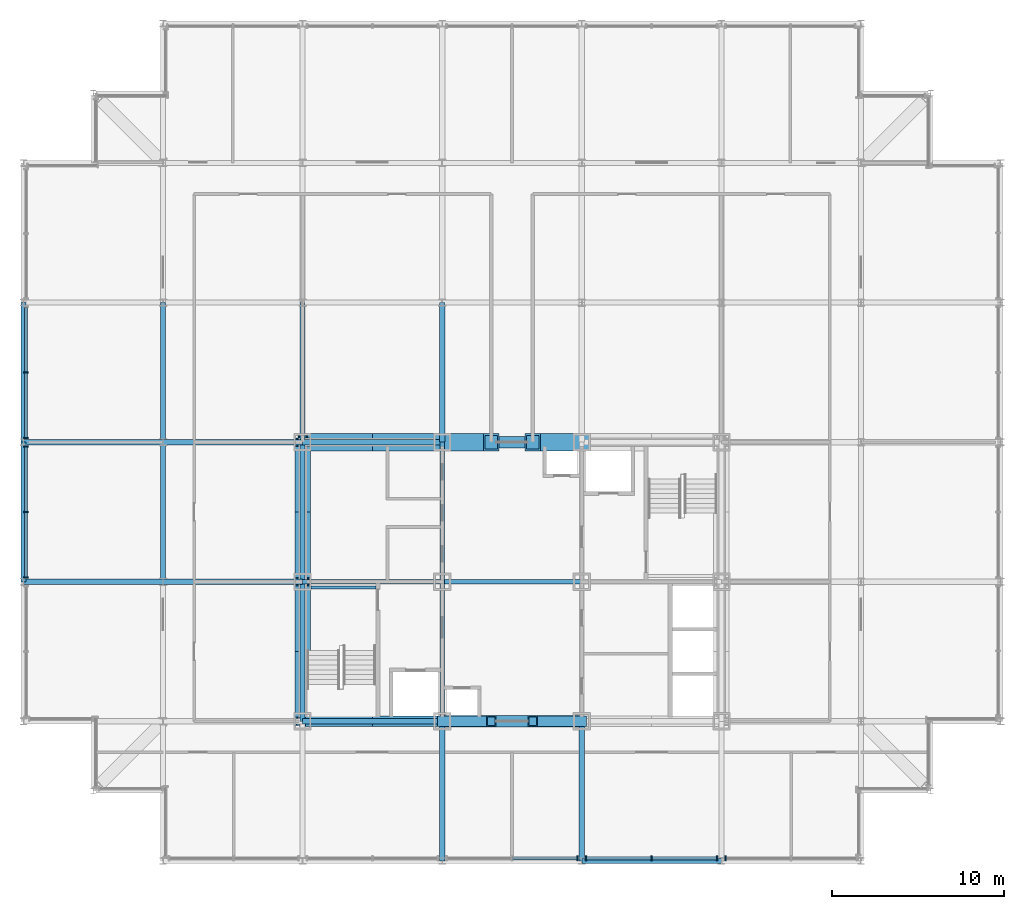
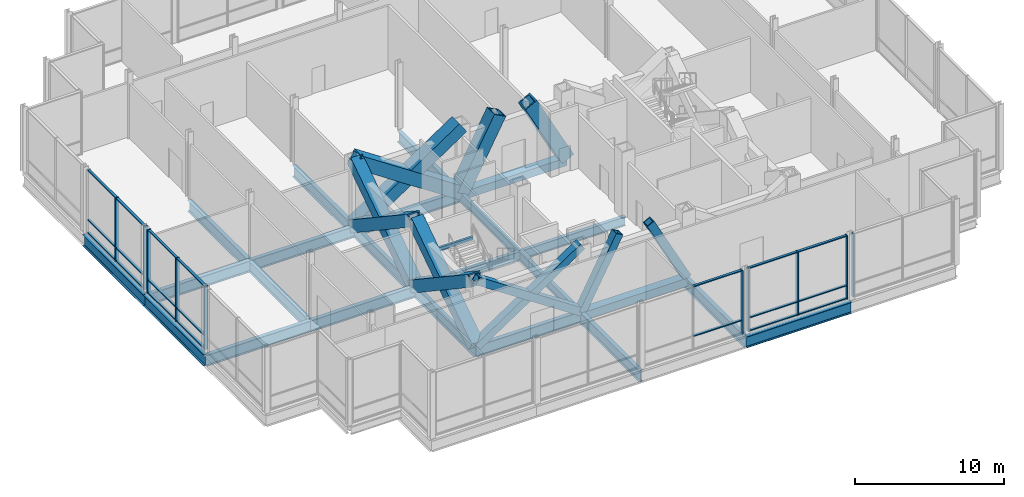
# One storey, part 6 of 21: 42 members, 24 beams, 5 elements without a shape of their own.
"""IFC4 building model written with IfcOpenShell, lengths in metres."""

from ifc_helpers import new_model, si_unit, direction, frame, origin, origin_2d, place, context, subcontext, project, spatial, rectangle, hollow_rectangle, i_section, extrude, material, material_profile, profile_set, type_object, element, aggregate, save


model = new_model("IFC4")

# Units and contexts
model_context = context("Model", 3, precision=1e-05, world=origin(), true_north=direction((0.0, 1.0)))
body_context = subcontext(model_context, "Body", "Model", "MODEL_VIEW")
ifc_project = project(units=[si_unit("LENGTHUNIT", "METRE"), si_unit("AREAUNIT", "SQUARE_METRE"), si_unit("VOLUMEUNIT", "CUBIC_METRE"), si_unit("PLANEANGLEUNIT", "RADIAN"), si_unit("MASSUNIT", "GRAM", prefix="KILO")], contexts=[model_context])

# Site, building, storey
site_placement = place(None, origin())
site = spatial("IfcSite", under=ifc_project, at=site_placement, CompositionType="ELEMENT")
building_placement = place(site_placement, origin())
building = spatial("IfcBuilding", under=site, at=building_placement, Name="Kopane Lantern Tower", CompositionType="ELEMENT")
storey_placement = place(building_placement, frame((0.0, 0.0, 298.5)))
storey = spatial("IfcBuildingStorey", under=building, at=storey_placement, Name="L76", CompositionType="ELEMENT", Elevation=298.5)

# Members
ifc_material_1 = material(Name="Steel S355JR", Category="steel")
ifc_material_profile_1 = material_profile(ifc_material_1, hollow_rectangle(XDim=1.0, YDim=1.0, WallThickness=0.10009765625, at=origin_2d()), Name="BOX 1000x1000x100")
ifc_profile_set_1 = profile_set([ifc_material_profile_1], Name="Steel S355JR")
member_type_1 = type_object("IfcMemberType", Name="BRACE BOX 1000x1000x100", PredefinedType="BRACE", material=ifc_profile_set_1)
for number, where, z_axis, x_axis, name in (
    (1, (16.199951171875, 40.5, -0.2099609375), (0.832058010752, 0.0, 0.55468862143), (0.0, 1.0, 0.0), "Core brace L76"),
    (2, (24.300048828125, 40.5, -0.2099609375), (-0.832058010752, 0.0, 0.55468862143), (0.0, -1.0, 0.0), "Core brace L76"),
):
    element("IfcMember", number, at=place(storey_placement, frame(where, z_axis=z_axis, x_axis=x_axis)), inside=storey, type_object=member_type_1, Name=name, PredefinedType="BRACE", context=body_context, shape_type="SweptSolid", body=[
        extrude(hollow_rectangle(XDim=1.0, YDim=1.0, WallThickness=0.10009765625, at=origin_2d()), origin(), (0.0, 0.0, 1.0), 9.735107421875),
    ])
for number, where, z_axis, x_axis, name in (
    (3, (24.300048828125, 40.5, -0.2099609375), (0.46674645747, 0.0, 0.88439117162), (0.0, 1.0, 0.0), "Core brace L76"),
    (4, (32.39990234375, 40.5, -0.2099609375), (-0.46674645747, 0.0, 0.88439117162), (0.0, -1.0, 0.0), "Core brace L76"),
):
    element("IfcMember", number, at=place(storey_placement, frame(where, z_axis=z_axis, x_axis=x_axis)), inside=storey, type_object=member_type_1, Name=name, PredefinedType="BRACE", context=body_context, shape_type="SweptSolid", body=[
        extrude(hollow_rectangle(XDim=1.0, YDim=1.0, WallThickness=0.10009765625, at=origin_2d()), origin(), (0.0, 0.0, 1.0), 6.105712890625),
    ])
ifc_material_2 = material(Name="Steel S355JR", Category="steel")
ifc_material_profile_2 = material_profile(ifc_material_2, hollow_rectangle(XDim=0.60009765625, YDim=0.60009765625, WallThickness=0.06005859375, at=origin_2d()), Name="BOX 600x600x60")
ifc_profile_set_2 = profile_set([ifc_material_profile_2], Name="Steel S355JR")
member_type_2 = type_object("IfcMemberType", Name="BRACE BOX 600x600x60", PredefinedType="BRACE", material=ifc_profile_set_2)
for number, where, z_axis, x_axis, name in (
    (5, (16.199951171875, 24.300048828125, -0.2099609375), (0.832058010752, 0.0, 0.55468862143), (0.0, 1.0, 0.0), "Core brace L76"),
    (6, (24.300048828125, 24.300048828125, -0.2099609375), (-0.832058010752, 0.0, 0.55468862143), (0.0, -1.0, 0.0), "Core brace L76"),
):
    element("IfcMember", number, at=place(storey_placement, frame(where, z_axis=z_axis, x_axis=x_axis)), inside=storey, type_object=member_type_2, Name=name, PredefinedType="BRACE", context=body_context, shape_type="SweptSolid", body=[
        extrude(hollow_rectangle(XDim=0.60009765625, YDim=0.60009765625, WallThickness=0.06005859375, at=origin_2d()), origin(), (0.0, 0.0, 1.0), 9.735107421875),
    ])
for number, where, z_axis, x_axis, name in (
    (7, (24.300048828125, 24.300048828125, -0.2099609375), (0.46674645747, 0.0, 0.88439117162), (0.0, 1.0, 0.0), "Core brace L76"),
    (8, (32.39990234375, 24.300048828125, -0.2099609375), (-0.46674645747, 0.0, 0.88439117162), (0.0, -1.0, 0.0), "Core brace L76"),
):
    element("IfcMember", number, at=place(storey_placement, frame(where, z_axis=z_axis, x_axis=x_axis)), inside=storey, type_object=member_type_2, Name=name, PredefinedType="BRACE", context=body_context, shape_type="SweptSolid", body=[
        extrude(hollow_rectangle(XDim=0.60009765625, YDim=0.60009765625, WallThickness=0.06005859375, at=origin_2d()), origin(), (0.0, 0.0, 1.0), 6.105712890625),
    ])
ifc_material_3 = material(Name="Steel S355JR", Category="steel")
ifc_material_profile_3 = material_profile(ifc_material_3, hollow_rectangle(XDim=0.89990234375, YDim=0.89990234375, WallThickness=0.090087890625, at=origin_2d()), Name="BOX 900x900x90")
ifc_profile_set_3 = profile_set([ifc_material_profile_3], Name="Steel S355JR")
member_type_3 = type_object("IfcMemberType", Name="BRACE BOX 900x900x90", PredefinedType="BRACE", material=ifc_profile_set_3)
for number, where, z_axis, x_axis, name in (
    (9, (16.199951171875, 24.300048828125, -0.2099609375), (0.0, 0.832050294338, 0.554700196225), (-1.0, 0.0, 0.0), "Core brace L76"),
    (10, (16.199951171875, 32.39990234375, -0.2099609375), (0.0, -0.832050294338, 0.554700196225), (1.0, 0.0, 0.0), "Core brace L76"),
):
    element("IfcMember", number, at=place(storey_placement, frame(where, z_axis=z_axis, x_axis=x_axis)), inside=storey, type_object=member_type_3, Name=name, PredefinedType="BRACE", context=body_context, shape_type="SweptSolid", body=[
        extrude(hollow_rectangle(XDim=0.89990234375, YDim=0.89990234375, WallThickness=0.090087890625, at=origin_2d()), origin(), (0.0, 0.0, 1.0), 9.73486328125),
    ])
for number, where, z_axis, x_axis, name in (
    (11, (16.199951171875, 32.39990234375, -0.2099609375), (0.0, 0.832058010752, 0.55468862143), (-1.0, 0.0, 0.0), "Core brace L76"),
    (12, (16.199951171875, 40.5, -0.2099609375), (0.0, -0.832058010752, 0.55468862143), (1.0, 0.0, 0.0), "Core brace L76"),
):
    element("IfcMember", number, at=place(storey_placement, frame(where, z_axis=z_axis, x_axis=x_axis)), inside=storey, type_object=member_type_3, Name=name, PredefinedType="BRACE", context=body_context, shape_type="SweptSolid", body=[
        extrude(hollow_rectangle(XDim=0.89990234375, YDim=0.89990234375, WallThickness=0.090087890625, at=origin_2d()), origin(), (0.0, 0.0, 1.0), 9.735107421875),
    ])

# Beams
ifc_material_4 = material(Name="Steel S355JR", Category="steel")
ifc_material_profile_4 = material_profile(ifc_material_4, i_section(OverallWidth=0.2666015625, OverallDepth=0.76220703125, WebThickness=0.014404296875, FlangeThickness=0.021484375, FilletRadius=0.0166015625, at=origin_2d()), Name="UB 762x267x173")
ifc_profile_set_4 = profile_set([ifc_material_profile_4], Name="Steel S355JR")
beam_type_1 = type_object("IfcBeamType", Name="CORE BEAM UB 762x267x173", PredefinedType="BEAM", material=ifc_profile_set_4)
beam_1_placement = place(storey_placement, frame((16.199951171875, 32.39990234375, -0.591064453125), z_axis=(1.0, 0.0, 0.0), x_axis=(0.0, 1.0, 0.0)))
element("IfcBeam", 13, at=beam_1_placement, inside=storey, type_object=beam_type_1, Name="Core Beam L76", PredefinedType="BEAM", context=body_context, shape_type="SweptSolid", body=[
    extrude(i_section(OverallWidth=0.2666015625, OverallDepth=0.76220703125, WebThickness=0.014404296875, FlangeThickness=0.021484375, FilletRadius=0.0166015625, at=origin_2d()), origin(), (0.0, 0.0, 1.0), 8.10009765625),
])
beam_2_placement = place(storey_placement, frame((24.300048828125, 24.300048828125, -0.591064453125), z_axis=(0.0, 1.0, 0.0), x_axis=(-1.0, 0.0, 0.0)))
element("IfcBeam", 14, at=beam_2_placement, inside=storey, type_object=beam_type_1, Name="Core Beam L76", PredefinedType="BEAM", context=body_context, shape_type="SweptSolid", body=[
    extrude(i_section(OverallWidth=0.2666015625, OverallDepth=0.76220703125, WebThickness=0.014404296875, FlangeThickness=0.021484375, FilletRadius=0.0166015625, at=origin_2d()), origin(), (0.0, 0.0, 1.0), 8.099853515625),
])
beam_3_placement = place(storey_placement, frame((24.300048828125, 32.39990234375, -0.591064453125), z_axis=(0.0, 1.0, 0.0), x_axis=(-1.0, 0.0, 0.0)))
element("IfcBeam", 15, at=beam_3_placement, inside=storey, type_object=beam_type_1, Name="Core Beam L76", PredefinedType="BEAM", context=body_context, shape_type="SweptSolid", body=[
    extrude(i_section(OverallWidth=0.2666015625, OverallDepth=0.76220703125, WebThickness=0.014404296875, FlangeThickness=0.021484375, FilletRadius=0.0166015625, at=origin_2d()), origin(), (0.0, 0.0, 1.0), 8.10009765625),
])
beam_4_placement = place(storey_placement, frame((24.300048828125, 32.39990234375, -0.591064453125), z_axis=(1.0, 0.0, 0.0), x_axis=(0.0, 1.0, 0.0)))
element("IfcBeam", 16, at=beam_4_placement, inside=storey, type_object=beam_type_1, Name="Core Beam L76", PredefinedType="BEAM", context=body_context, shape_type="SweptSolid", body=[
    extrude(i_section(OverallWidth=0.2666015625, OverallDepth=0.76220703125, WebThickness=0.014404296875, FlangeThickness=0.021484375, FilletRadius=0.0166015625, at=origin_2d()), origin(), (0.0, 0.0, 1.0), 8.099853515625),
])
ifc_material_5 = material(Name="Steel S355JR", Category="steel")
ifc_material_profile_5 = material_profile(ifc_material_5, i_section(OverallWidth=0.305419921875, OverallDepth=0.91845703125, WebThickness=0.017333984375, FlangeThickness=0.02783203125, FilletRadius=0.01904296875, at=origin_2d()), Name="UB 914x305x253")
ifc_profile_set_5 = profile_set([ifc_material_profile_5], Name="Steel S355JR")
beam_type_2 = type_object("IfcBeamType", Name="GIRDER UB 914x305x253", PredefinedType="BEAM", material=ifc_profile_set_5)
for number, where, z_axis, x_axis, name in (
    (17, (0.0, 32.39990234375, -0.669189453125), (0.0, 1.0, 0.0), (-1.0, 0.0, 0.0), "Girder L76"),
    (18, (0.0, 32.39990234375, -0.669189453125), (1.0, 0.0, 0.0), (0.0, 1.0, 0.0), "Girder L76"),
    (19, (0.0, 40.5, -0.669189453125), (0.0, 1.0, 0.0), (-1.0, 0.0, 0.0), "Girder L76"),
    (20, (0.0, 40.5, -0.669189453125), (1.0, 0.0, 0.0), (0.0, 1.0, 0.0), "Girder L76"),
    (21, (8.10009765625, 32.39990234375, -0.669189453125), (0.0, 1.0, 0.0), (-1.0, 0.0, 0.0), "Girder L76"),
):
    element("IfcBeam", number, at=place(storey_placement, frame(where, z_axis=z_axis, x_axis=x_axis)), inside=storey, type_object=beam_type_2, Name=name, PredefinedType="BEAM", context=body_context, shape_type="SweptSolid", body=[
        extrude(i_section(OverallWidth=0.305419921875, OverallDepth=0.91845703125, WebThickness=0.017333984375, FlangeThickness=0.02783203125, FilletRadius=0.01904296875, at=origin_2d()), origin(), (0.0, 0.0, 1.0), 8.10009765625),
    ])
beam_5_placement = place(storey_placement, frame((8.10009765625, 32.39990234375, -0.669189453125), z_axis=(1.0, 0.0, 0.0), x_axis=(0.0, 1.0, 0.0)))
element("IfcBeam", 22, at=beam_5_placement, inside=storey, type_object=beam_type_2, Name="Girder L76", PredefinedType="BEAM", context=body_context, shape_type="SweptSolid", body=[
    extrude(i_section(OverallWidth=0.305419921875, OverallDepth=0.91845703125, WebThickness=0.017333984375, FlangeThickness=0.02783203125, FilletRadius=0.01904296875, at=origin_2d()), origin(), (0.0, 0.0, 1.0), 8.099853515625),
])
beam_6_placement = place(storey_placement, frame((8.10009765625, 40.5, -0.669189453125), z_axis=(0.0, 1.0, 0.0), x_axis=(-1.0, 0.0, 0.0)))
element("IfcBeam", 23, at=beam_6_placement, inside=storey, type_object=beam_type_2, Name="Girder L76", PredefinedType="BEAM", context=body_context, shape_type="SweptSolid", body=[
    extrude(i_section(OverallWidth=0.305419921875, OverallDepth=0.91845703125, WebThickness=0.017333984375, FlangeThickness=0.02783203125, FilletRadius=0.01904296875, at=origin_2d()), origin(), (0.0, 0.0, 1.0), 8.10009765625),
])
for number, where, z_axis, x_axis, name in (
    (24, (8.10009765625, 40.5, -0.669189453125), (1.0, 0.0, 0.0), (0.0, 1.0, 0.0), "Girder L76"),
    (25, (16.199951171875, 24.300048828125, -0.669189453125), (0.0, 1.0, 0.0), (-1.0, 0.0, 0.0), "Girder L76"),
):
    element("IfcBeam", number, at=place(storey_placement, frame(where, z_axis=z_axis, x_axis=x_axis)), inside=storey, type_object=beam_type_2, Name=name, PredefinedType="BEAM", context=body_context, shape_type="SweptSolid", body=[
        extrude(i_section(OverallWidth=0.305419921875, OverallDepth=0.91845703125, WebThickness=0.017333984375, FlangeThickness=0.02783203125, FilletRadius=0.01904296875, at=origin_2d()), origin(), (0.0, 0.0, 1.0), 8.099853515625),
    ])
for number, where, z_axis, x_axis, name in (
    (26, (16.199951171875, 24.300048828125, -0.669189453125), (1.0, 0.0, 0.0), (0.0, 1.0, 0.0), "Girder L76"),
    (27, (16.199951171875, 32.39990234375, -0.669189453125), (0.0, 1.0, 0.0), (-1.0, 0.0, 0.0), "Girder L76"),
    (28, (16.199951171875, 40.5, -0.669189453125), (0.0, 1.0, 0.0), (-1.0, 0.0, 0.0), "Girder L76"),
    (29, (16.199951171875, 40.5, -0.669189453125), (1.0, 0.0, 0.0), (0.0, 1.0, 0.0), "Girder L76"),
    (30, (24.300048828125, 16.199951171875, -0.669189453125), (0.0, 1.0, 0.0), (-1.0, 0.0, 0.0), "Girder L76"),
    (31, (24.300048828125, 40.5, -0.669189453125), (0.0, 1.0, 0.0), (-1.0, 0.0, 0.0), "Girder L76"),
    (32, (32.39990234375, 16.199951171875, -0.669189453125), (0.0, 1.0, 0.0), (-1.0, 0.0, 0.0), "Girder L76"),
    (33, (32.39990234375, 16.199951171875, -0.669189453125), (1.0, 0.0, 0.0), (0.0, 1.0, 0.0), "Girder L76"),
):
    element("IfcBeam", number, at=place(storey_placement, frame(where, z_axis=z_axis, x_axis=x_axis)), inside=storey, type_object=beam_type_2, Name=name, PredefinedType="BEAM", context=body_context, shape_type="SweptSolid", body=[
        extrude(i_section(OverallWidth=0.305419921875, OverallDepth=0.91845703125, WebThickness=0.017333984375, FlangeThickness=0.02783203125, FilletRadius=0.01904296875, at=origin_2d()), origin(), (0.0, 0.0, 1.0), 8.10009765625),
    ])
ifc_material_6 = material(Name="Steel S355JR", Category="steel")
ifc_material_profile_6 = material_profile(ifc_material_6, hollow_rectangle(XDim=0.64990234375, YDim=0.64990234375, WallThickness=0.070068359375, at=origin_2d()), Name="BOX 650x650x70")
ifc_profile_set_6 = profile_set([ifc_material_profile_6], Name="Steel S355JR")
beam_type_3 = type_object("IfcBeamType", Name="LINK BEAM BOX 650x650x70", PredefinedType="BEAM", material=ifc_profile_set_6)
for number, where, z_axis, x_axis, name in (
    (34, (24.300048828125, 24.300048828125, -0.534912109375), (1.0, 0.0, 0.0), (0.0, 1.0, 0.0), "Link Beam L76"),
    (35, (24.300048828125, 40.5, -0.534912109375), (1.0, 0.0, 0.0), (0.0, 1.0, 0.0), "Link Beam L76"),
):
    element("IfcBeam", number, at=place(storey_placement, frame(where, z_axis=z_axis, x_axis=x_axis)), inside=storey, type_object=beam_type_3, Name=name, PredefinedType="BEAM", context=body_context, shape_type="SweptSolid", body=[
        extrude(hollow_rectangle(XDim=0.64990234375, YDim=0.64990234375, WallThickness=0.070068359375, at=origin_2d()), origin(), (0.0, 0.0, 1.0), 8.099853515625),
    ])

# Curtain wall, member
ifc_material_7 = material(Name="Aluminium and clear glass", Category="aluminium")
curtain_wall_type = type_object("IfcCurtainWallType", Name="CURTAIN WALL CW6 LANTERN CROWN", PredefinedType="USERDEFINED", material=ifc_material_7)
curtain_wall_1_placement = place(storey_placement, origin())
curtain_wall_1 = element("IfcCurtainWall", 36, at=curtain_wall_1_placement, inside=storey, type_object=curtain_wall_type, Name="Curtain wall CW6 S L76", ObjectType="CURTAIN WALL", PredefinedType="USERDEFINED")
ifc_material_8 = material(Name="Aluminium", Category="aluminium")
ifc_material_profile_7 = material_profile(ifc_material_8, rectangle(XDim=0.080078125, YDim=0.280029296875, at=origin_2d()), Name="AL 80x280")
ifc_profile_set_7 = profile_set([ifc_material_profile_7], Name="Aluminium")
member_type_4 = type_object("IfcMemberType", Name="MULLION CW6-M 80x280", PredefinedType="MULLION", material=ifc_profile_set_7)
member_1_placement = place(storey_placement, frame((32.155517578125, 16.35009765625, 0.0), z_axis=(0.0, 0.0, 1.0), x_axis=(1.0, 0.0, 0.0)))
member_1 = element("IfcMember", 37, at=member_1_placement, type_object=member_type_4, Name="CW6 mullion 3", PredefinedType="MULLION", context=body_context, shape_type="SweptSolid", body=[
    extrude(rectangle(XDim=0.080078125, YDim=0.280029296875, at=origin_2d()), origin(), (0.0, 0.0, 1.0), 5.18994140625),
])

# Curtain wall, members
curtain_wall_2_placement = place(storey_placement, origin())
curtain_wall_2 = element("IfcCurtainWall", 38, at=curtain_wall_2_placement, inside=storey, type_object=curtain_wall_type, Name="Curtain wall CW6 S L76", ObjectType="CURTAIN WALL", PredefinedType="USERDEFINED")
member_2_placement = place(storey_placement, frame((32.64453125, 16.35009765625, 0.0), z_axis=(0.0, 0.0, 1.0), x_axis=(1.0, 0.0, 0.0)))
member_2 = element("IfcMember", 39, at=member_2_placement, type_object=member_type_4, Name="CW6 mullion 1", PredefinedType="MULLION", context=body_context, shape_type="SweptSolid", body=[
    extrude(rectangle(XDim=0.080078125, YDim=0.280029296875, at=origin_2d()), origin(), (0.0, 0.0, 1.0), 5.18994140625),
])
member_3_placement = place(storey_placement, frame((36.449951171875, 16.35009765625, 0.0), z_axis=(0.0, 0.0, 1.0), x_axis=(1.0, 0.0, 0.0)))
member_3 = element("IfcMember", 40, at=member_3_placement, type_object=member_type_4, Name="CW6 mullion 2", PredefinedType="MULLION", context=body_context, shape_type="SweptSolid", body=[
    extrude(rectangle(XDim=0.080078125, YDim=0.280029296875, at=origin_2d()), origin(), (0.0, 0.0, 1.0), 5.18994140625),
])
member_4_placement = place(storey_placement, frame((40.255615234375, 16.35009765625, 0.0), z_axis=(0.0, 0.0, 1.0), x_axis=(1.0, 0.0, 0.0)))
member_4 = element("IfcMember", 41, at=member_4_placement, type_object=member_type_4, Name="CW6 mullion 3", PredefinedType="MULLION", context=body_context, shape_type="SweptSolid", body=[
    extrude(rectangle(XDim=0.080078125, YDim=0.280029296875, at=origin_2d()), origin(), (0.0, 0.0, 1.0), 5.18994140625),
])

# Curtain wall, member
curtain_wall_3_placement = place(storey_placement, origin())
curtain_wall_3 = element("IfcCurtainWall", 42, at=curtain_wall_3_placement, inside=storey, type_object=curtain_wall_type, Name="Curtain wall CW6 S L76", ObjectType="CURTAIN WALL", PredefinedType="USERDEFINED")
member_5_placement = place(storey_placement, frame((40.744384765625, 16.35009765625, 0.0), z_axis=(0.0, 0.0, 1.0), x_axis=(1.0, 0.0, 0.0)))
member_5 = element("IfcMember", 43, at=member_5_placement, type_object=member_type_4, Name="CW6 mullion 1", PredefinedType="MULLION", context=body_context, shape_type="SweptSolid", body=[
    extrude(rectangle(XDim=0.080078125, YDim=0.280029296875, at=origin_2d()), origin(), (0.0, 0.0, 1.0), 5.18994140625),
])
aggregate(curtain_wall_3, [member_5])

# Curtain wall, members
curtain_wall_4_placement = place(storey_placement, origin())
curtain_wall_4 = element("IfcCurtainWall", 44, at=curtain_wall_4_placement, inside=storey, type_object=curtain_wall_type, Name="Curtain wall CW6 W L76", ObjectType="CURTAIN WALL", PredefinedType="USERDEFINED")
member_6_placement = place(storey_placement, frame((0.14990234375, 44.550048828125, 0.0), z_axis=(0.0, 0.0, 1.0), x_axis=(0.0, -1.0, 0.0)))
member_6 = element("IfcMember", 45, at=member_6_placement, type_object=member_type_4, Name="CW6 mullion 2", PredefinedType="MULLION", context=body_context, shape_type="SweptSolid", body=[
    extrude(rectangle(XDim=0.080078125, YDim=0.280029296875, at=origin_2d()), origin(), (0.0, 0.0, 1.0), 5.18994140625),
])
member_7_placement = place(storey_placement, frame((0.14990234375, 40.74169921875, 0.0), z_axis=(0.0, 0.0, 1.0), x_axis=(0.0, -1.0, 0.0)))
member_7 = element("IfcMember", 46, at=member_7_placement, type_object=member_type_4, Name="CW6 mullion 3", PredefinedType="MULLION", context=body_context, shape_type="SweptSolid", body=[
    extrude(rectangle(XDim=0.080078125, YDim=0.280029296875, at=origin_2d()), origin(), (0.0, 0.0, 1.0), 5.18994140625),
])

curtain_wall_5_placement = place(storey_placement, origin())
curtain_wall_5 = element("IfcCurtainWall", 47, at=curtain_wall_5_placement, inside=storey, type_object=curtain_wall_type, Name="Curtain wall CW6 W L76", ObjectType="CURTAIN WALL", PredefinedType="USERDEFINED")
member_8_placement = place(storey_placement, frame((0.14990234375, 40.25830078125, 0.0), z_axis=(0.0, 0.0, 1.0), x_axis=(0.0, -1.0, 0.0)))
member_8 = element("IfcMember", 48, at=member_8_placement, type_object=member_type_4, Name="CW6 mullion 1", PredefinedType="MULLION", context=body_context, shape_type="SweptSolid", body=[
    extrude(rectangle(XDim=0.080078125, YDim=0.280029296875, at=origin_2d()), origin(), (0.0, 0.0, 1.0), 5.18994140625),
])
member_9_placement = place(storey_placement, frame((0.14990234375, 36.449951171875, 0.0), z_axis=(0.0, 0.0, 1.0), x_axis=(0.0, -1.0, 0.0)))
member_9 = element("IfcMember", 49, at=member_9_placement, type_object=member_type_4, Name="CW6 mullion 2", PredefinedType="MULLION", context=body_context, shape_type="SweptSolid", body=[
    extrude(rectangle(XDim=0.080078125, YDim=0.280029296875, at=origin_2d()), origin(), (0.0, 0.0, 1.0), 5.18994140625),
])
member_10_placement = place(storey_placement, frame((0.14990234375, 32.641845703125, 0.0), z_axis=(0.0, 0.0, 1.0), x_axis=(0.0, -1.0, 0.0)))
member_10 = element("IfcMember", 50, at=member_10_placement, type_object=member_type_4, Name="CW6 mullion 3", PredefinedType="MULLION", context=body_context, shape_type="SweptSolid", body=[
    extrude(rectangle(XDim=0.080078125, YDim=0.280029296875, at=origin_2d()), origin(), (0.0, 0.0, 1.0), 5.18994140625),
])

# Beam
ifc_material_9 = material(Name="Steel S355JR", Category="steel")
ifc_material_profile_8 = material_profile(ifc_material_9, i_section(OverallWidth=0.1650390625, OverallDepth=0.303466796875, WebThickness=0.006103515625, FlangeThickness=0.01025390625, FilletRadius=0.0087890625, at=origin_2d()), Name="UB 305x165x40")
ifc_profile_set_8 = profile_set([ifc_material_profile_8], Name="Steel S355JR")
beam_type_4 = type_object("IfcBeamType", Name="STAIR LANDING BEAM UB 305x165x40", PredefinedType="BEAM", material=ifc_profile_set_8)
beam_7_placement = place(storey_placement, frame((16.699951171875, 32.0673828125, 2.348388671875), z_axis=(1.0, 0.0, 0.0), x_axis=(0.0, 1.0, 0.0)))
element("IfcBeam", 51, at=beam_7_placement, inside=storey, type_object=beam_type_4, Name="Stair landing beam ST1 L76", PredefinedType="BEAM", context=body_context, shape_type="SweptSolid", body=[
    extrude(i_section(OverallWidth=0.1650390625, OverallDepth=0.303466796875, WebThickness=0.006103515625, FlangeThickness=0.01025390625, FilletRadius=0.0087890625, at=origin_2d()), origin(), (0.0, 0.0, 1.0), 3.75),
])

# Member
ifc_material_10 = material(Name="Aluminium", Category="aluminium")
ifc_material_profile_9 = material_profile(ifc_material_10, rectangle(XDim=0.18994140625, YDim=0.080078125, at=origin_2d()), Name="AL 190x80")
ifc_profile_set_9 = profile_set([ifc_material_profile_9], Name="Aluminium")
member_type_5 = type_object("IfcMemberType", Name="TRANSOM CW6-T 80x190", PredefinedType="USERDEFINED", material=ifc_profile_set_9)
member_11_placement = place(storey_placement, frame((28.389892578125, 16.35009765625, 1.10009765625), z_axis=(1.0, 0.0, 0.0), x_axis=(0.0, 1.0, 0.0)))
member_11 = element("IfcMember", 52, at=member_11_placement, type_object=member_type_5, Name="CW6 transom 2.2", ObjectType="TRANSOM", PredefinedType="USERDEFINED", context=body_context, shape_type="SweptSolid", body=[
    extrude(rectangle(XDim=0.18994140625, YDim=0.080078125, at=origin_2d()), origin(), (0.0, 0.0, 1.0), 3.7255859375),
])

member_12_placement = place(storey_placement, frame((28.389892578125, 16.35009765625, 5.14990234375), z_axis=(1.0, 0.0, 0.0), x_axis=(0.0, 1.0, 0.0)))
member_12 = element("IfcMember", 53, at=member_12_placement, type_object=member_type_5, Name="CW6 transom 2.3", ObjectType="TRANSOM", PredefinedType="USERDEFINED", context=body_context, shape_type="SweptSolid", body=[
    extrude(rectangle(XDim=0.18994140625, YDim=0.080078125, at=origin_2d()), origin(), (0.0, 0.0, 1.0), 3.7255859375),
])

aggregate(curtain_wall_1, [member_1, member_11, member_12])

member_13_placement = place(storey_placement, frame((32.6845703125, 16.35009765625, 0.0400390625), z_axis=(1.0, 0.0, 0.0), x_axis=(0.0, 1.0, 0.0)))
member_13 = element("IfcMember", 54, at=member_13_placement, type_object=member_type_5, Name="CW6 transom 1.1", ObjectType="TRANSOM", PredefinedType="USERDEFINED", context=body_context, shape_type="SweptSolid", body=[
    extrude(rectangle(XDim=0.18994140625, YDim=0.080078125, at=origin_2d()), origin(), (0.0, 0.0, 1.0), 3.725341796875),
])

member_14_placement = place(storey_placement, frame((32.6845703125, 16.35009765625, 1.10009765625), z_axis=(1.0, 0.0, 0.0), x_axis=(0.0, 1.0, 0.0)))
member_14 = element("IfcMember", 55, at=member_14_placement, type_object=member_type_5, Name="CW6 transom 1.2", ObjectType="TRANSOM", PredefinedType="USERDEFINED", context=body_context, shape_type="SweptSolid", body=[
    extrude(rectangle(XDim=0.18994140625, YDim=0.080078125, at=origin_2d()), origin(), (0.0, 0.0, 1.0), 3.725341796875),
])

member_15_placement = place(storey_placement, frame((32.6845703125, 16.35009765625, 5.14990234375), z_axis=(1.0, 0.0, 0.0), x_axis=(0.0, 1.0, 0.0)))
member_15 = element("IfcMember", 56, at=member_15_placement, type_object=member_type_5, Name="CW6 transom 1.3", ObjectType="TRANSOM", PredefinedType="USERDEFINED", context=body_context, shape_type="SweptSolid", body=[
    extrude(rectangle(XDim=0.18994140625, YDim=0.080078125, at=origin_2d()), origin(), (0.0, 0.0, 1.0), 3.725341796875),
])

member_16_placement = place(storey_placement, frame((36.489990234375, 16.35009765625, 0.0400390625), z_axis=(1.0, 0.0, 0.0), x_axis=(0.0, 1.0, 0.0)))
member_16 = element("IfcMember", 57, at=member_16_placement, type_object=member_type_5, Name="CW6 transom 2.1", ObjectType="TRANSOM", PredefinedType="USERDEFINED", context=body_context, shape_type="SweptSolid", body=[
    extrude(rectangle(XDim=0.18994140625, YDim=0.080078125, at=origin_2d()), origin(), (0.0, 0.0, 1.0), 3.7255859375),
])

member_17_placement = place(storey_placement, frame((36.489990234375, 16.35009765625, 1.10009765625), z_axis=(1.0, 0.0, 0.0), x_axis=(0.0, 1.0, 0.0)))
member_17 = element("IfcMember", 58, at=member_17_placement, type_object=member_type_5, Name="CW6 transom 2.2", ObjectType="TRANSOM", PredefinedType="USERDEFINED", context=body_context, shape_type="SweptSolid", body=[
    extrude(rectangle(XDim=0.18994140625, YDim=0.080078125, at=origin_2d()), origin(), (0.0, 0.0, 1.0), 3.7255859375),
])

member_18_placement = place(storey_placement, frame((36.489990234375, 16.35009765625, 5.14990234375), z_axis=(1.0, 0.0, 0.0), x_axis=(0.0, 1.0, 0.0)))
member_18 = element("IfcMember", 59, at=member_18_placement, type_object=member_type_5, Name="CW6 transom 2.3", ObjectType="TRANSOM", PredefinedType="USERDEFINED", context=body_context, shape_type="SweptSolid", body=[
    extrude(rectangle(XDim=0.18994140625, YDim=0.080078125, at=origin_2d()), origin(), (0.0, 0.0, 1.0), 3.7255859375),
])

aggregate(curtain_wall_2, [member_2, member_3, member_4, member_13, member_14, member_15, member_16, member_17, member_18])

member_19_placement = place(storey_placement, frame((0.14990234375, 48.318115234375, 0.0400390625), z_axis=(0.0, -1.0, 0.0), x_axis=(1.0, 0.0, 0.0)))
member_19 = element("IfcMember", 60, at=member_19_placement, type_object=member_type_5, Name="CW6 transom 1.1", ObjectType="TRANSOM", PredefinedType="USERDEFINED", context=body_context, shape_type="SweptSolid", body=[
    extrude(rectangle(XDim=0.18994140625, YDim=0.080078125, at=origin_2d()), origin(), (0.0, 0.0, 1.0), 3.72802734375),
])

member_20_placement = place(storey_placement, frame((0.14990234375, 48.318115234375, 1.10009765625), z_axis=(0.0, -1.0, 0.0), x_axis=(1.0, 0.0, 0.0)))
member_20 = element("IfcMember", 61, at=member_20_placement, type_object=member_type_5, Name="CW6 transom 1.2", ObjectType="TRANSOM", PredefinedType="USERDEFINED", context=body_context, shape_type="SweptSolid", body=[
    extrude(rectangle(XDim=0.18994140625, YDim=0.080078125, at=origin_2d()), origin(), (0.0, 0.0, 1.0), 3.72802734375),
])

member_21_placement = place(storey_placement, frame((0.14990234375, 48.318115234375, 5.14990234375), z_axis=(0.0, -1.0, 0.0), x_axis=(1.0, 0.0, 0.0)))
member_21 = element("IfcMember", 62, at=member_21_placement, type_object=member_type_5, Name="CW6 transom 1.3", ObjectType="TRANSOM", PredefinedType="USERDEFINED", context=body_context, shape_type="SweptSolid", body=[
    extrude(rectangle(XDim=0.18994140625, YDim=0.080078125, at=origin_2d()), origin(), (0.0, 0.0, 1.0), 3.72802734375),
])

member_22_placement = place(storey_placement, frame((0.14990234375, 44.510009765625, 0.0400390625), z_axis=(0.0, -1.0, 0.0), x_axis=(1.0, 0.0, 0.0)))
member_22 = element("IfcMember", 63, at=member_22_placement, type_object=member_type_5, Name="CW6 transom 2.1", ObjectType="TRANSOM", PredefinedType="USERDEFINED", context=body_context, shape_type="SweptSolid", body=[
    extrude(rectangle(XDim=0.18994140625, YDim=0.080078125, at=origin_2d()), origin(), (0.0, 0.0, 1.0), 3.728271484375),
])

member_23_placement = place(storey_placement, frame((0.14990234375, 44.510009765625, 1.10009765625), z_axis=(0.0, -1.0, 0.0), x_axis=(1.0, 0.0, 0.0)))
member_23 = element("IfcMember", 64, at=member_23_placement, type_object=member_type_5, Name="CW6 transom 2.2", ObjectType="TRANSOM", PredefinedType="USERDEFINED", context=body_context, shape_type="SweptSolid", body=[
    extrude(rectangle(XDim=0.18994140625, YDim=0.080078125, at=origin_2d()), origin(), (0.0, 0.0, 1.0), 3.728271484375),
])

member_24_placement = place(storey_placement, frame((0.14990234375, 44.510009765625, 5.14990234375), z_axis=(0.0, -1.0, 0.0), x_axis=(1.0, 0.0, 0.0)))
member_24 = element("IfcMember", 65, at=member_24_placement, type_object=member_type_5, Name="CW6 transom 2.3", ObjectType="TRANSOM", PredefinedType="USERDEFINED", context=body_context, shape_type="SweptSolid", body=[
    extrude(rectangle(XDim=0.18994140625, YDim=0.080078125, at=origin_2d()), origin(), (0.0, 0.0, 1.0), 3.728271484375),
])

aggregate(curtain_wall_4, [member_6, member_7, member_19, member_20, member_21, member_22, member_23, member_24])

member_25_placement = place(storey_placement, frame((0.14990234375, 40.21826171875, 0.0400390625), z_axis=(0.0, -1.0, 0.0), x_axis=(1.0, 0.0, 0.0)))
member_25 = element("IfcMember", 66, at=member_25_placement, type_object=member_type_5, Name="CW6 transom 1.1", ObjectType="TRANSOM", PredefinedType="USERDEFINED", context=body_context, shape_type="SweptSolid", body=[
    extrude(rectangle(XDim=0.18994140625, YDim=0.080078125, at=origin_2d()), origin(), (0.0, 0.0, 1.0), 3.728271484375),
])

member_26_placement = place(storey_placement, frame((0.14990234375, 40.21826171875, 1.10009765625), z_axis=(0.0, -1.0, 0.0), x_axis=(1.0, 0.0, 0.0)))
member_26 = element("IfcMember", 67, at=member_26_placement, type_object=member_type_5, Name="CW6 transom 1.2", ObjectType="TRANSOM", PredefinedType="USERDEFINED", context=body_context, shape_type="SweptSolid", body=[
    extrude(rectangle(XDim=0.18994140625, YDim=0.080078125, at=origin_2d()), origin(), (0.0, 0.0, 1.0), 3.728271484375),
])

member_27_placement = place(storey_placement, frame((0.14990234375, 40.21826171875, 5.14990234375), z_axis=(0.0, -1.0, 0.0), x_axis=(1.0, 0.0, 0.0)))
member_27 = element("IfcMember", 68, at=member_27_placement, type_object=member_type_5, Name="CW6 transom 1.3", ObjectType="TRANSOM", PredefinedType="USERDEFINED", context=body_context, shape_type="SweptSolid", body=[
    extrude(rectangle(XDim=0.18994140625, YDim=0.080078125, at=origin_2d()), origin(), (0.0, 0.0, 1.0), 3.728271484375),
])

member_28_placement = place(storey_placement, frame((0.14990234375, 36.409912109375, 0.0400390625), z_axis=(0.0, -1.0, 0.0), x_axis=(1.0, 0.0, 0.0)))
member_28 = element("IfcMember", 69, at=member_28_placement, type_object=member_type_5, Name="CW6 transom 2.1", ObjectType="TRANSOM", PredefinedType="USERDEFINED", context=body_context, shape_type="SweptSolid", body=[
    extrude(rectangle(XDim=0.18994140625, YDim=0.080078125, at=origin_2d()), origin(), (0.0, 0.0, 1.0), 3.72802734375),
])

member_29_placement = place(storey_placement, frame((0.14990234375, 36.409912109375, 1.10009765625), z_axis=(0.0, -1.0, 0.0), x_axis=(1.0, 0.0, 0.0)))
member_29 = element("IfcMember", 70, at=member_29_placement, type_object=member_type_5, Name="CW6 transom 2.2", ObjectType="TRANSOM", PredefinedType="USERDEFINED", context=body_context, shape_type="SweptSolid", body=[
    extrude(rectangle(XDim=0.18994140625, YDim=0.080078125, at=origin_2d()), origin(), (0.0, 0.0, 1.0), 3.72802734375),
])

member_30_placement = place(storey_placement, frame((0.14990234375, 36.409912109375, 5.14990234375), z_axis=(0.0, -1.0, 0.0), x_axis=(1.0, 0.0, 0.0)))
member_30 = element("IfcMember", 71, at=member_30_placement, type_object=member_type_5, Name="CW6 transom 2.3", ObjectType="TRANSOM", PredefinedType="USERDEFINED", context=body_context, shape_type="SweptSolid", body=[
    extrude(rectangle(XDim=0.18994140625, YDim=0.080078125, at=origin_2d()), origin(), (0.0, 0.0, 1.0), 3.72802734375),
])

aggregate(curtain_wall_5, [member_8, member_9, member_10, member_25, member_26, member_27, member_28, member_29, member_30])

save(model, "model.ifc")
